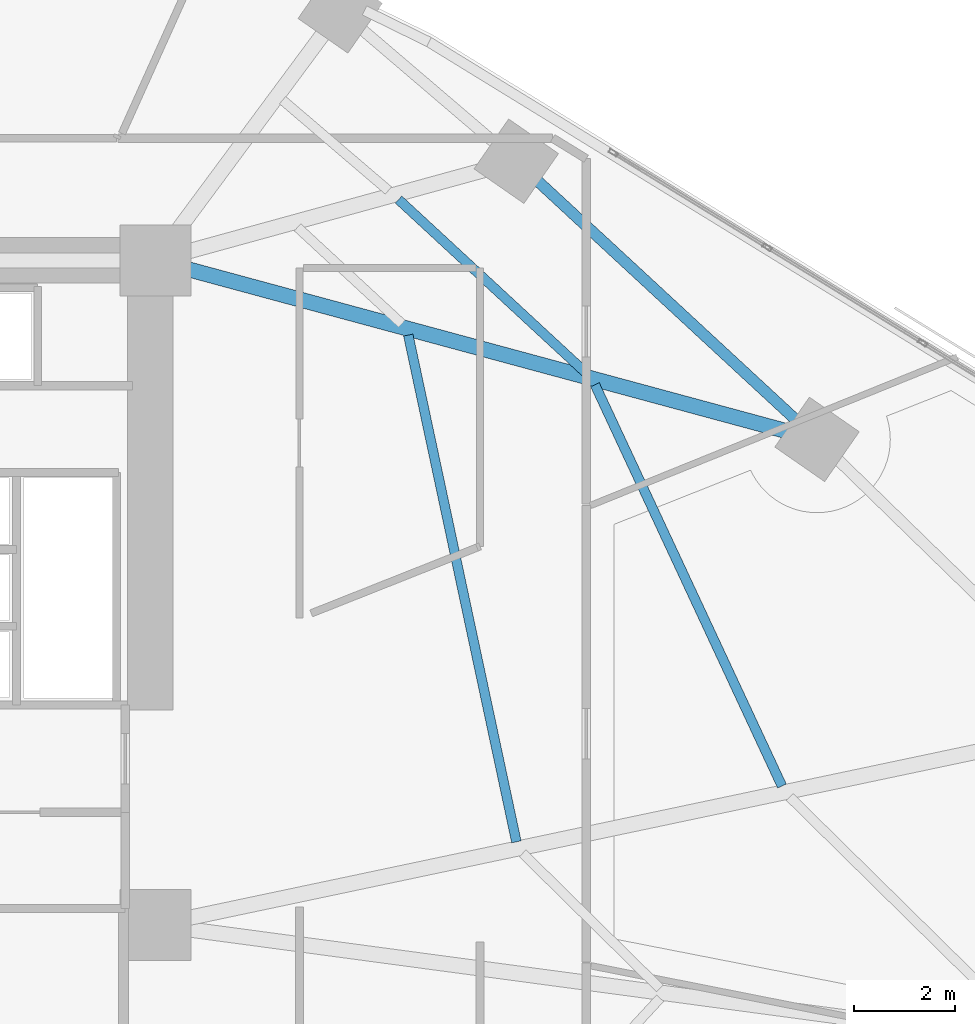
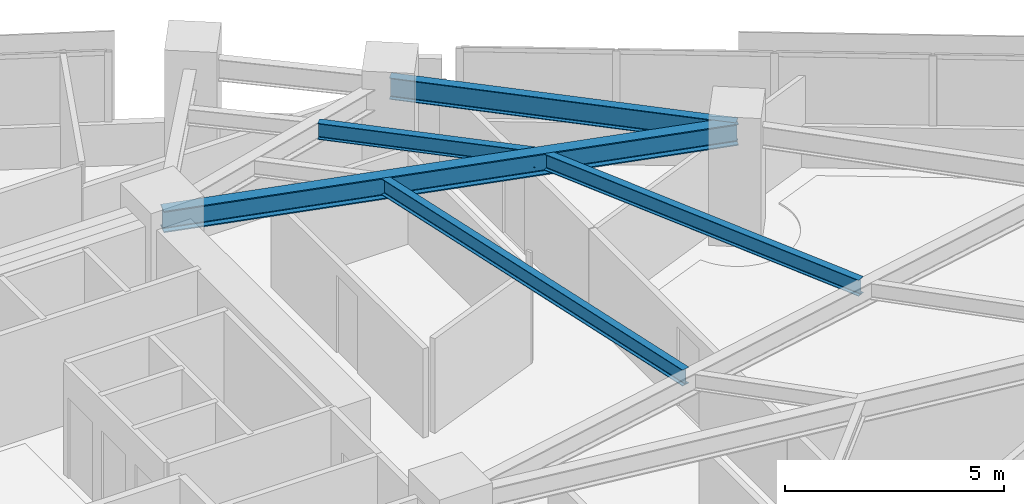
# One storey, part 5 of 20: 5 beams.
"""IFC4 building model written with IfcOpenShell, lengths in metres."""

from ifc_helpers import new_model, si_unit, direction, frame, origin, origin_2d, place, context, subcontext, project, spatial, i_section, extrude, material, material_profile, profile_set, type_object, element, save


model = new_model("IFC4")

# Units and contexts
model_context = context("Model", 3, precision=1e-05, world=origin(), true_north=direction((0.0, 1.0)))
body_context = subcontext(model_context, "Body", "Model", "MODEL_VIEW")
ifc_project = project(units=[si_unit("LENGTHUNIT", "METRE"), si_unit("AREAUNIT", "SQUARE_METRE"), si_unit("VOLUMEUNIT", "CUBIC_METRE"), si_unit("PLANEANGLEUNIT", "RADIAN"), si_unit("MASSUNIT", "GRAM", prefix="KILO")], contexts=[model_context])

# Site, building, storey
site_placement = place(None, origin())
site = spatial("IfcSite", under=ifc_project, at=site_placement, CompositionType="ELEMENT")
building_placement = place(site_placement, origin())
building = spatial("IfcBuilding", under=site, at=building_placement, Name="Narakoshi Arena Tower", CompositionType="ELEMENT")
storey_placement = place(building_placement, frame((0.0, 0.0, 124.5)))
storey = spatial("IfcBuildingStorey", under=building, at=storey_placement, Name="L33", CompositionType="ELEMENT", Elevation=124.5)

# Beams
ifc_material = material(Name="Structural steel S355J2", Category="steel")
ifc_material_profile_1 = material_profile(ifc_material, i_section(OverallWidth=0.219970703125, OverallDepth=0.60009765625, WebThickness=0.011962890625, FlangeThickness=0.01904296875, FilletRadius=0.02392578125, at=origin_2d()), Name="IPE600")
ifc_profile_set_1 = profile_set([ifc_material_profile_1], Name="Structural steel S355J2")
beam_type_1 = type_object("IfcBeamType", Name="BM-EDGE-600", PredefinedType="BEAM", material=ifc_profile_set_1)
beam_1_placement = place(storey_placement, frame((98.641357421875, 52.95849609375, 2.800048828125), z_axis=(-0.734140347065, 0.678997754643, 0.0), x_axis=(-0.678997754643, -0.734140347065, 0.0)))
element("IfcBeam", 1, at=beam_1_placement, inside=storey, type_object=beam_type_1, Name="L33 Perimeter Edge Girder 06", PredefinedType="BEAM", context=body_context, shape_type="SweptSolid", body=[
    extrude(i_section(OverallWidth=0.219970703125, OverallDepth=0.60009765625, WebThickness=0.011962890625, FlangeThickness=0.01904296875, FilletRadius=0.02392578125, at=origin_2d()), origin(), (0.0, 0.0, 1.0), 8.106689453125),
])
ifc_material_profile_2 = material_profile(ifc_material, i_section(OverallWidth=0.300048828125, OverallDepth=0.60009765625, WebThickness=0.015380859375, FlangeThickness=0.030029296875, FilletRadius=0.027099609375, at=origin_2d()), Name="HE600B")
ifc_profile_set_2 = profile_set([ifc_material_profile_2], Name="Structural steel S355J2")
beam_type_2 = type_object("IfcBeamType", Name="BM-PRI-600", PredefinedType="BEAM", material=ifc_profile_set_2)
beam_2_placement = place(storey_placement, frame((85.550048828125, 56.5, 2.800048828125), z_axis=(0.965301848216, -0.261136634408, 0.0), x_axis=(0.261136634408, 0.965301848216, 0.0)))
element("IfcBeam", 2, at=beam_2_placement, inside=storey, type_object=beam_type_2, Name="L33 Radial Primary Floor Girder 06", PredefinedType="BEAM", context=body_context, shape_type="SweptSolid", body=[
    extrude(i_section(OverallWidth=0.300048828125, OverallDepth=0.60009765625, WebThickness=0.015380859375, FlangeThickness=0.030029296875, FilletRadius=0.027099609375, at=origin_2d()), origin(), (0.0, 0.0, 1.0), 13.561767578125),
])
ifc_material_profile_3 = material_profile(ifc_material, i_section(OverallWidth=0.18994140625, OverallDepth=0.449951171875, WebThickness=0.009521484375, FlangeThickness=0.0146484375, FilletRadius=0.02099609375, at=origin_2d()), Name="IPE450")
ifc_profile_set_3 = profile_set([ifc_material_profile_3], Name="Structural steel S355J2")
beam_type_3 = type_object("IfcBeamType", Name="BM-SEC-450", PredefinedType="JOIST", material=ifc_profile_set_3)
beam_3_placement = place(storey_placement, frame((92.692626953125, 44.99462890625, 2.875), z_axis=(-0.208678554526, 0.977984284578, 0.0), x_axis=(-0.977984284578, -0.208678554526, 0.0)))
element("IfcBeam", 3, at=beam_3_placement, inside=storey, type_object=beam_type_3, Name="L33 Composite Secondary Floor Joist 05", PredefinedType="JOIST", context=body_context, shape_type="SweptSolid", body=[
    extrude(i_section(OverallWidth=0.18994140625, OverallDepth=0.449951171875, WebThickness=0.009521484375, FlangeThickness=0.0146484375, FilletRadius=0.02099609375, at=origin_2d()), origin(), (0.0, 0.0, 1.0), 10.25341796875),
])
beam_4_placement = place(storey_placement, frame((97.947509765625, 46.099609375, 2.875), z_axis=(-0.422374306876, 0.906421505091, 0.0), x_axis=(-0.906421505091, -0.422374306876, 0.0)))
element("IfcBeam", 4, at=beam_4_placement, inside=storey, type_object=beam_type_3, Name="L33 Composite Secondary Floor Joist 06", PredefinedType="JOIST", context=body_context, shape_type="SweptSolid", body=[
    extrude(i_section(OverallWidth=0.18994140625, OverallDepth=0.449951171875, WebThickness=0.009521484375, FlangeThickness=0.0146484375, FilletRadius=0.02099609375, at=origin_2d()), origin(), (0.0, 0.0, 1.0), 8.760498046875),
])
beam_5_placement = place(storey_placement, frame((94.09130859375, 54.25439453125, 2.875), z_axis=(-0.734174891282, 0.678960403124, 0.0), x_axis=(-0.678960403124, -0.734174891282, 0.0)))
element("IfcBeam", 5, at=beam_5_placement, inside=storey, type_object=beam_type_3, Name="L33 Composite Secondary Floor Joist 08", PredefinedType="JOIST", context=body_context, shape_type="SweptSolid", body=[
    extrude(i_section(OverallWidth=0.18994140625, OverallDepth=0.449951171875, WebThickness=0.009521484375, FlangeThickness=0.0146484375, FilletRadius=0.02099609375, at=origin_2d()), origin(), (0.0, 0.0, 1.0), 5.08056640625),
])

save(model, "model.ifc")
